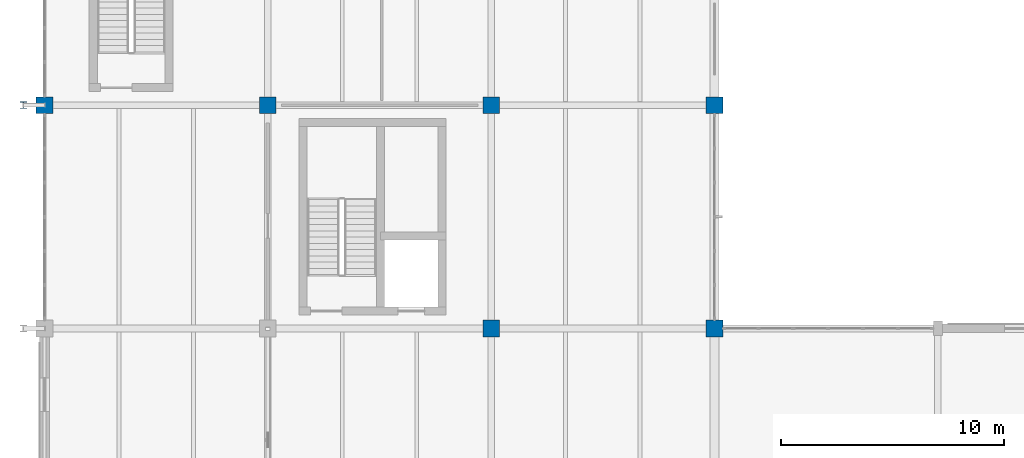
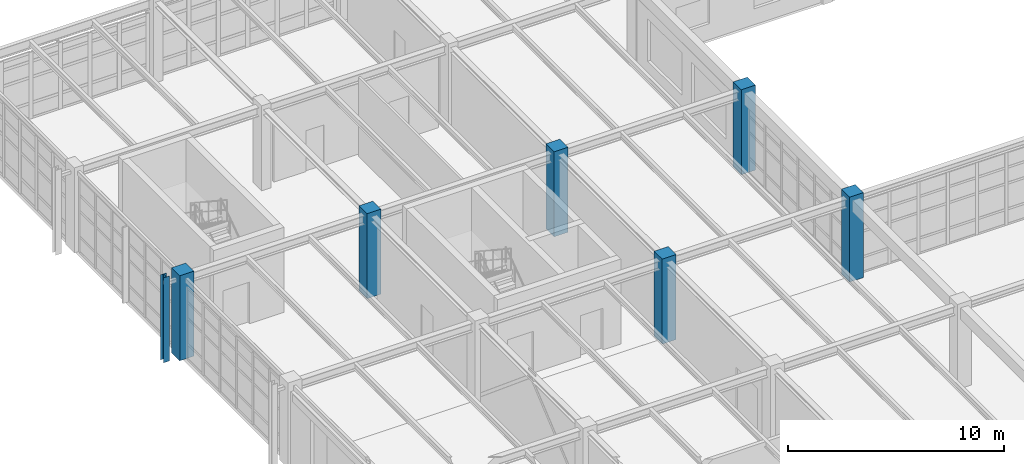
# One storey, part 5 of 139: 7 columns.
"""IFC4 building model written with IfcOpenShell, lengths in metres."""

from ifc_helpers import new_model, si_unit, direction, frame, origin, origin_2d, place, context, subcontext, project, spatial, rectangle, i_section, extrude, material, material_profile, profile_set, type_object, element, save


model = new_model("IFC4")

# Units and contexts
model_context = context("Model", 3, precision=1e-05, world=origin(), true_north=direction((0.0, 1.0)))
body_context = subcontext(model_context, "Body", "Model", "MODEL_VIEW")
ifc_project = project(units=[si_unit("LENGTHUNIT", "METRE"), si_unit("AREAUNIT", "SQUARE_METRE"), si_unit("VOLUMEUNIT", "CUBIC_METRE"), si_unit("PLANEANGLEUNIT", "RADIAN"), si_unit("MASSUNIT", "GRAM", prefix="KILO"), si_unit("THERMODYNAMICTEMPERATUREUNIT", "KELVIN"), si_unit("POWERUNIT", "WATT")], contexts=[model_context])

# Site, building, storey
site_placement = place(None, origin())
site = spatial("IfcSite", under=ifc_project, at=site_placement, CompositionType="ELEMENT")
building_placement = place(site_placement, origin())
building = spatial("IfcBuilding", under=site, at=building_placement, Name="Korenveer Ferry Terminal", CompositionType="ELEMENT")
storey_placement = place(building_placement, frame((0.0, 0.0, 5.39990234375)))
storey = spatial("IfcBuildingStorey", under=building, at=storey_placement, Name="L01", CompositionType="ELEMENT", Elevation=5.39990234375)

# Columns
ifc_material_1 = material(Name="Concrete C45/55", Category="concrete")
ifc_material_profile_1 = material_profile(ifc_material_1, rectangle(XDim=0.75, YDim=0.75, at=origin_2d()), Name="RC 750x750")
ifc_profile_set_1 = profile_set([ifc_material_profile_1], Name="Concrete C45/55")
column_type_1 = type_object("IfcColumnType", Name="STR-COL-RC750", PredefinedType="COLUMN", material=ifc_profile_set_1)
for number, where, z_axis, x_axis, name in (
    (1, (0.0, 60.0, 0.0), (0.0, 0.0, 1.0), (1.0, 0.0, 0.0), "Column COL-L01-X0-Y60"),
    (2, (10.0, 60.0, 0.0), (0.0, 0.0, 1.0), (1.0, 0.0, 0.0), "Column COL-L01-X10-Y60"),
    (3, (20.0, 50.0, 0.0), (0.0, 0.0, 1.0), (1.0, 0.0, 0.0), "Column COL-L01-X20-Y50"),
    (4, (20.0, 60.0, 0.0), (0.0, 0.0, 1.0), (1.0, 0.0, 0.0), "Column COL-L01-X20-Y60"),
    (5, (30.0, 50.0, 0.0), (0.0, 0.0, 1.0), (1.0, 0.0, 0.0), "Column COL-L01-X30-Y50"),
    (6, (30.0, 60.0, 0.0), (0.0, 0.0, 1.0), (1.0, 0.0, 0.0), "Column COL-L01-X30-Y60"),
):
    element("IfcColumn", number, at=place(storey_placement, frame(where, z_axis=z_axis, x_axis=x_axis)), inside=storey, type_object=column_type_1, Name=name, PredefinedType="COLUMN", context=body_context, shape_type="SweptSolid", body=[
        extrude(rectangle(XDim=0.75, YDim=0.75, at=origin_2d()), origin(), (0.0, 0.0, 1.0), 4.800048828125),
    ])
ifc_material_2 = material(Name="Steel S355", Category="steel")
ifc_material_profile_2 = material_profile(ifc_material_2, i_section(OverallWidth=0.300048828125, OverallDepth=0.2900390625, WebThickness=0.008544921875, FlangeThickness=0.013916015625, FilletRadius=0.027099609375, at=origin_2d()), Name="HEA 300")
ifc_profile_set_2 = profile_set([ifc_material_profile_2], Name="Steel S355")
column_type_2 = type_object("IfcColumnType", Name="STR-PIL-BRICK450", PredefinedType="PILASTER", material=ifc_profile_set_2)
column_placement = place(storey_placement, frame((-0.949951171875, 60.0, 0.0), z_axis=(0.0, 0.0, 1.0), x_axis=(1.0, 0.0, 0.0)))
element("IfcColumn", 7, at=column_placement, inside=storey, type_object=column_type_2, Name="Buttress pilaster 14", PredefinedType="PILASTER", context=body_context, shape_type="SweptSolid", body=[
    extrude(i_section(OverallWidth=0.300048828125, OverallDepth=0.2900390625, WebThickness=0.008544921875, FlangeThickness=0.013916015625, FilletRadius=0.027099609375, at=origin_2d()), origin(), (0.0, 0.0, 1.0), 4.800048828125),
])

save(model, "model.ifc")
